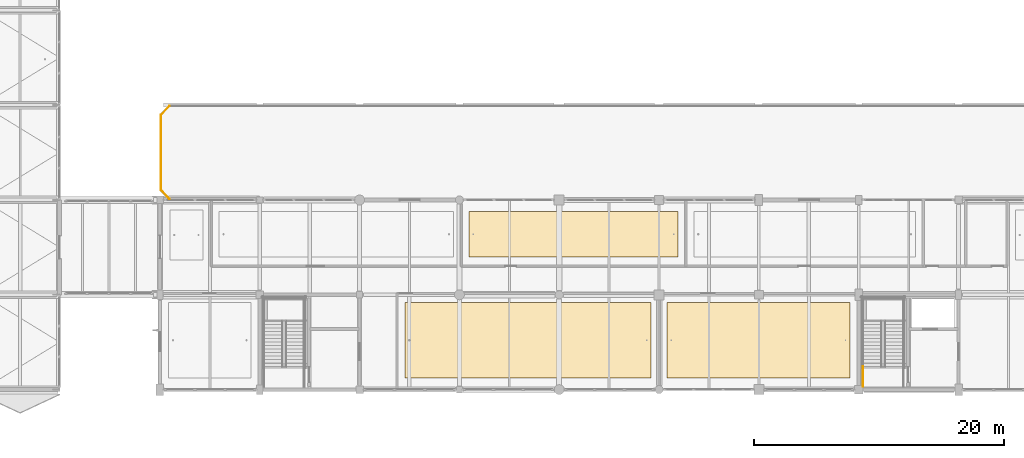
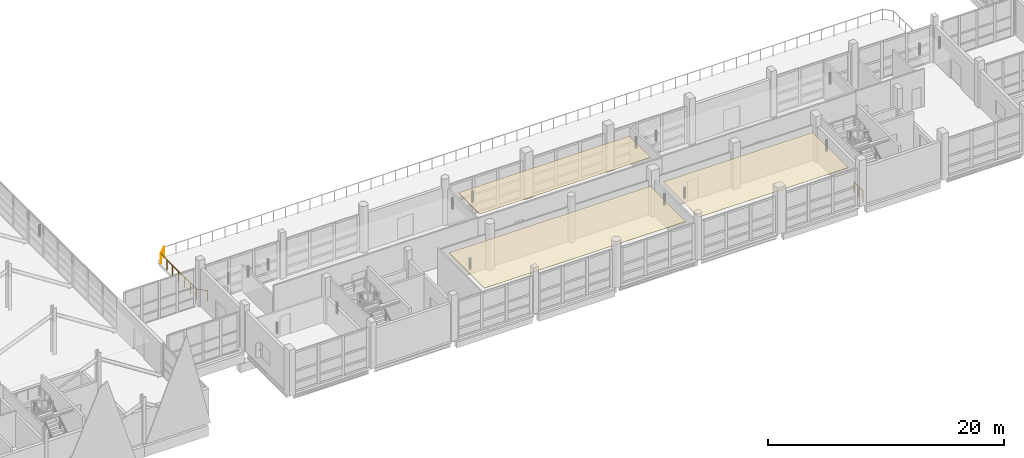
# One storey, part 134 of 147: 4 railings, 3 coverings.
"""IFC4 building model written with IfcOpenShell, lengths in metres."""

from ifc_helpers import new_model, si_unit, direction, frame, origin, origin_2d, place, context, subcontext, project, spatial, polyline, circle, outline, extrude, material, layer, layer_set, type_object, element, save


model = new_model("IFC4")

# Units and contexts
model_context = context("Model", 3, precision=1e-05, world=origin(), true_north=direction((0.0, 1.0)))
body_context = subcontext(model_context, "Body", "Model", "MODEL_VIEW")
ifc_project = project(units=[si_unit("LENGTHUNIT", "METRE"), si_unit("AREAUNIT", "SQUARE_METRE"), si_unit("VOLUMEUNIT", "CUBIC_METRE"), si_unit("PLANEANGLEUNIT", "RADIAN"), si_unit("MASSUNIT", "GRAM", prefix="KILO")], contexts=[model_context])

# Site, building, storey
site_placement = place(None, origin())
site = spatial("IfcSite", under=ifc_project, at=site_placement, CompositionType="ELEMENT")
building_placement = place(site_placement, origin())
building = spatial("IfcBuilding", under=site, at=building_placement, Name="Khelvaren Railside Concert Hall", CompositionType="ELEMENT")
storey_placement = place(building_placement, frame((0.0, 0.0, 5.39990234375)))
storey = spatial("IfcBuildingStorey", under=building, at=storey_placement, Name="L01", CompositionType="ELEMENT", Elevation=5.39990234375)

# Railings
ifc_material_1 = material(Name="Architectural stainless steel Grade 316", Category="steel")
railing_type_1 = type_object("IfcRailingType", Name="BAL77", PredefinedType="BALUSTRADE", material=ifc_material_1)
railing_1_placement = place(storey_placement, frame((64.780029296875, 22.719970703125, 0.0)))
element("IfcRailing", 1, at=railing_1_placement, inside=storey, type_object=railing_type_1, Name="Terrace Perimeter Balustrade V3-L01-NW", PredefinedType="BALUSTRADE", context=body_context, shape_type="SweptSolid", body=[
    extrude(circle(Radius=0.02392578125, at=origin_2d()), frame((0.0, 0.0, 1.076171875), z_axis=(-0.707106781187, -0.707106781187, 0.0), x_axis=(0.707106781187, -0.707106781187, 0.0)), (0.0, 0.0, 1.0), 0.989990234375),
    extrude(circle(Radius=0.02099609375, at=origin_2d()), origin(), (0.0, 0.0, 1.0), 1.052001953125),
    extrude(circle(Radius=0.02099609375, at=origin_2d()), frame((-0.699951171875, -0.699951171875, 0.0)), (0.0, 0.0, 1.0), 1.052001953125),
])
railing_2_placement = place(storey_placement, frame((64.080078125, 22.02001953125, 0.0)))
element("IfcRailing", 2, at=railing_2_placement, inside=storey, type_object=railing_type_1, Name="Terrace Perimeter Balustrade V3-L01-W", PredefinedType="BALUSTRADE", context=body_context, shape_type="SweptSolid", body=[
    extrude(circle(Radius=0.02392578125, at=origin_2d()), frame((0.0, 0.0, 1.076171875), z_axis=(0.0, -1.0, 0.0), x_axis=(1.0, 0.0, 0.0)), (0.0, 0.0, 1.0), 6.0400390625),
    extrude(circle(Radius=0.02099609375, at=origin_2d()), origin(), (0.0, 0.0, 1.0), 1.052001953125),
    extrude(circle(Radius=0.02099609375, at=origin_2d()), frame((0.0, -1.006591796875, 0.0)), (0.0, 0.0, 1.0), 1.052001953125),
    extrude(circle(Radius=0.02099609375, at=origin_2d()), frame((0.0, -2.013427734375, 0.0)), (0.0, 0.0, 1.0), 1.052001953125),
    extrude(circle(Radius=0.02099609375, at=origin_2d()), frame((0.0, -3.02001953125, 0.0)), (0.0, 0.0, 1.0), 1.052001953125),
    extrude(circle(Radius=0.02099609375, at=origin_2d()), frame((0.0, -4.026611328125, 0.0)), (0.0, 0.0, 1.0), 1.052001953125),
    extrude(circle(Radius=0.02099609375, at=origin_2d()), frame((0.0, -5.033447265625, 0.0)), (0.0, 0.0, 1.0), 1.052001953125),
    extrude(circle(Radius=0.02099609375, at=origin_2d()), frame((0.0, -6.0400390625, 0.0)), (0.0, 0.0, 1.0), 1.052001953125),
])
railing_3_placement = place(storey_placement, frame((64.080078125, 15.97998046875, 0.0)))
element("IfcRailing", 3, at=railing_3_placement, inside=storey, type_object=railing_type_1, Name="Terrace Perimeter Balustrade V3-L01-SW", PredefinedType="BALUSTRADE", context=body_context, shape_type="SweptSolid", body=[
    extrude(circle(Radius=0.02392578125, at=origin_2d()), frame((0.0, 0.0, 1.076171875), z_axis=(0.707106781187, -0.707106781187, 0.0), x_axis=(0.707106781187, 0.707106781187, 0.0)), (0.0, 0.0, 1.0), 0.989990234375),
    extrude(circle(Radius=0.02099609375, at=origin_2d()), origin(), (0.0, 0.0, 1.0), 1.052001953125),
    extrude(circle(Radius=0.02099609375, at=origin_2d()), frame((0.699951171875, -0.699951171875, 0.0)), (0.0, 0.0, 1.0), 1.052001953125),
])

# Coverings
ifc_material_2 = material(Name="Mineral-wool acoustic baffle ceiling", Category="gypsum")
ifc_layer_1 = layer(ifc_material_2, 0.0400390625)
ifc_layer_set_1 = layer_set([ifc_layer_1], Name="Mineral-wool acoustic baffle ceiling")
covering_type_1 = type_object("IfcCoveringType", Name="CLG20", PredefinedType="CEILING", material=ifc_layer_set_1)
covering_1_placement = place(storey_placement, frame((0.0, 0.0, 3.41015625)))
element("IfcCovering", 4, at=covering_1_placement, inside=storey, type_object=covering_type_1, Name="Suspended Acoustic Ceiling Curatorial Cataloguing Office L01", PredefinedType="CEILING", context=body_context, shape_type="SweptSolid", body=[
    extrude(outline(polyline([(83.6298828125, 0.929931640625), (103.3701171875, 0.929931640625), (103.3701171875, 6.969970703125), (83.6298828125, 6.969970703125), (83.6298828125, 0.929931640625)])), origin(), (0.0, 0.0, 1.0), 0.0400390625),
])
ifc_material_3 = material(Name="Micro-perforated timber acoustic ceiling", Category="wood")
ifc_layer_2 = layer(ifc_material_3, 0.030029296875)
ifc_layer_set_2 = layer_set([ifc_layer_2], Name="Micro-perforated timber acoustic ceiling")
covering_type_2 = type_object("IfcCoveringType", Name="CLG77", PredefinedType="CEILING", material=ifc_layer_set_2)
covering_2_placement = place(storey_placement, frame((0.0, 0.0, 3.420166015625)))
element("IfcCovering", 5, at=covering_2_placement, inside=storey, type_object=covering_type_2, Name="Suspended Acoustic Ceiling Music Archive High-Density Manuscript Stack A", PredefinedType="CEILING", context=body_context, shape_type="SweptSolid", body=[
    extrude(outline(polyline([(88.76904296875, 10.6298828125), (105.52587890625, 10.6298828125), (105.52587890625, 14.27001953125), (88.76904296875, 14.27001953125), (88.76904296875, 10.6298828125)])), origin(), (0.0, 0.0, 1.0), 0.030029296875),
])
covering_3_placement = place(storey_placement, frame((0.0, 0.0, 3.420166015625)))
element("IfcCovering", 6, at=covering_3_placement, inside=storey, type_object=covering_type_2, Name="Suspended Acoustic Ceiling Patron Membership Suite L01", PredefinedType="CEILING", context=body_context, shape_type="SweptSolid", body=[
    extrude(outline(polyline([(104.6298828125, 0.929931640625), (119.2900390625, 0.929931640625), (119.2900390625, 6.969970703125), (104.6298828125, 6.969970703125), (104.6298828125, 0.929931640625)])), origin(), (0.0, 0.0, 1.0), 0.030029296875),
])

# Railing
ifc_material_4 = material(Name="Painted architectural steel", Category="steel")
railing_type_2 = type_object("IfcRailingType", Name="GRD86", PredefinedType="GUARDRAIL", material=ifc_material_4)
railing_4_placement = place(storey_placement, frame((120.35009765625, 0.239990234375, 0.0)))
element("IfcRailing", 7, at=railing_4_placement, inside=storey, type_object=railing_type_2, Name="L01 ST-06 stair guard 9", PredefinedType="GUARDRAIL", context=body_context, shape_type="SweptSolid", body=[
    extrude(circle(Radius=0.02392578125, at=origin_2d()), frame((0.0, 0.0, 1.076171875), z_axis=(0.0, 1.0, 0.0), x_axis=(-1.0, 0.0, 0.0)), (0.0, 0.0, 1.0), 1.60009765625),
    extrude(circle(Radius=0.02099609375, at=origin_2d()), origin(), (0.0, 0.0, 1.0), 1.052001953125),
    extrude(circle(Radius=0.02099609375, at=origin_2d()), frame((0.0, 0.800048828125, 0.0)), (0.0, 0.0, 1.0), 1.052001953125),
    extrude(circle(Radius=0.02099609375, at=origin_2d()), frame((0.0, 1.60009765625, 0.0)), (0.0, 0.0, 1.0), 1.052001953125),
])

save(model, "model.ifc")
